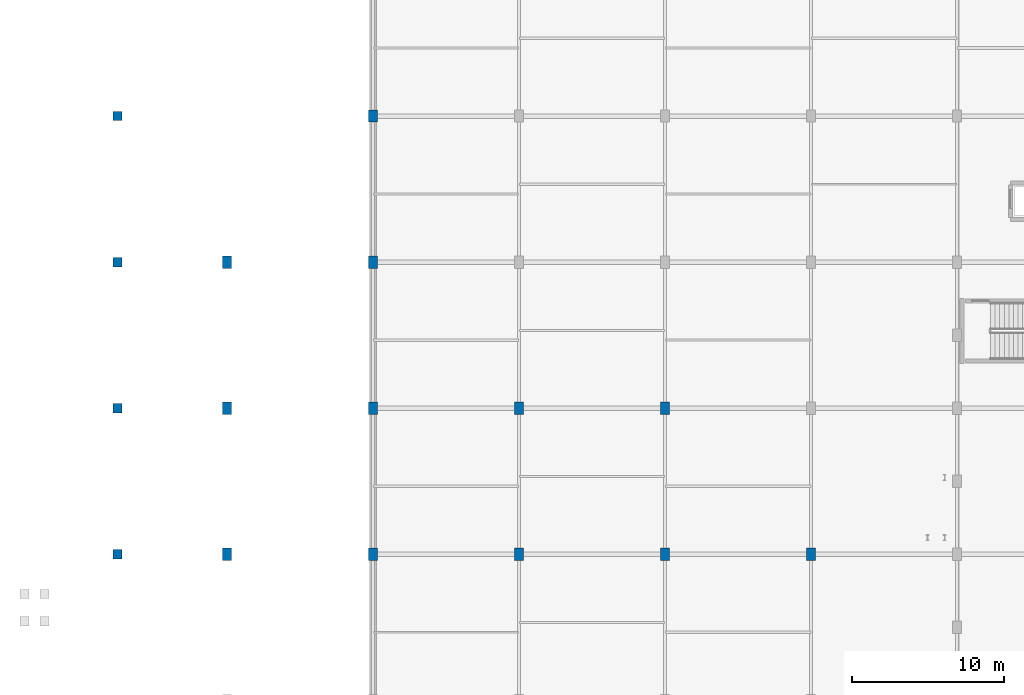
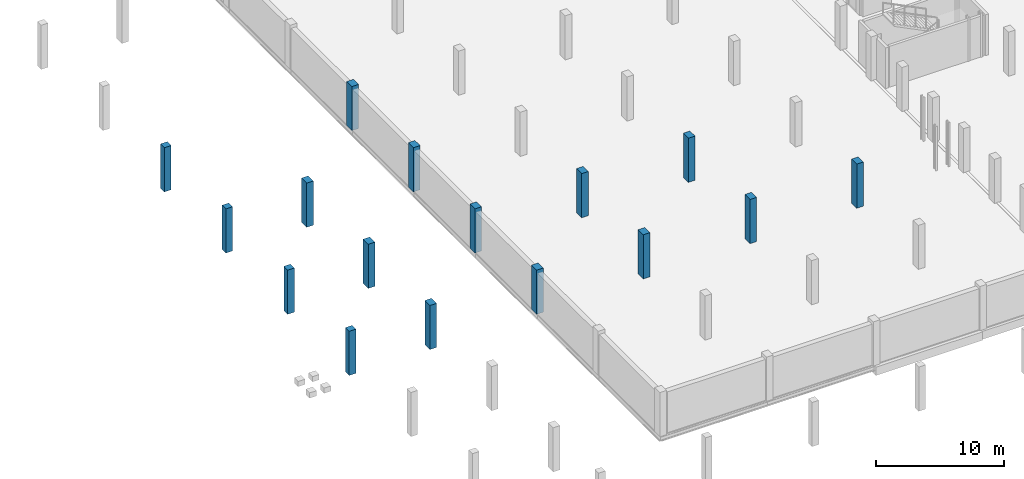
# One storey, part 3 of 47: 16 columns.
"""IFC4 building model written with IfcOpenShell, lengths in metres."""

from ifc_helpers import new_model, si_unit, direction, frame, origin, origin_2d, place, context, subcontext, project, spatial, rectangle, extrude, material, material_profile, profile_set, type_object, element, save


model = new_model("IFC4")

# Units and contexts
model_context = context("Model", 3, precision=1e-05, world=origin(), true_north=direction((0.0, 1.0)))
body_context = subcontext(model_context, "Body", "Model", "MODEL_VIEW")
ifc_project = project(units=[si_unit("LENGTHUNIT", "METRE"), si_unit("AREAUNIT", "SQUARE_METRE"), si_unit("VOLUMEUNIT", "CUBIC_METRE"), si_unit("PLANEANGLEUNIT", "RADIAN"), si_unit("MASSUNIT", "GRAM", prefix="KILO")], contexts=[model_context])

# Site, building, storey
site_placement = place(None, origin())
site = spatial("IfcSite", under=ifc_project, at=site_placement, CompositionType="ELEMENT")
building_placement = place(site_placement, origin())
building = spatial("IfcBuilding", under=site, at=building_placement, Name="Zevrakil Square Congress Hotel", CompositionType="ELEMENT")
storey_placement = place(building_placement, frame((0.0, 0.0, -4.199951171875)))
storey = spatial("IfcBuildingStorey", under=building, at=storey_placement, Name="B1", CompositionType="ELEMENT", Elevation=-4.199951171875)

# Columns
ifc_material_1 = material(Name="Concrete C40/50", Category="concrete")
ifc_material_profile_1 = material_profile(ifc_material_1, rectangle(XDim=0.60009765625, YDim=0.60009765625, at=origin_2d()), Name="RC 600x600")
ifc_profile_set_1 = profile_set([ifc_material_profile_1], Name="Concrete C40/50")
column_type_1 = type_object("IfcColumnType", Name="COL-RC600", PredefinedType="COLUMN", material=ifc_profile_set_1)
for number, where, z_axis, x_axis, name in (
    (1, (0.0, 26.39990234375, 0.0), (0.0, 0.0, 1.0), (1.0, 0.0, 0.0), "B1 column C-004"),
    (2, (0.0, 36.0, 0.0), (0.0, 0.0, 1.0), (1.0, 0.0, 0.0), "B1 column C-005"),
    (3, (0.0, 45.60009765625, 0.0), (0.0, 0.0, 1.0), (1.0, 0.0, 0.0), "B1 column C-006"),
    (4, (0.0, 55.199951171875, 0.0), (0.0, 0.0, 1.0), (1.0, 0.0, 0.0), "B1 column C-007"),
):
    element("IfcColumn", number, at=place(storey_placement, frame(where, z_axis=z_axis, x_axis=x_axis)), inside=storey, type_object=column_type_1, Name=name, PredefinedType="COLUMN", context=body_context, shape_type="SweptSolid", body=[
        extrude(rectangle(XDim=0.60009765625, YDim=0.60009765625, at=origin_2d()), origin(), (0.0, 0.0, 1.0), 4.199951171875),
    ])
ifc_material_2 = material(Name="Concrete C40/50", Category="concrete")
ifc_material_profile_2 = material_profile(ifc_material_2, rectangle(XDim=0.60009765625, YDim=0.800048828125, at=origin_2d()), Name="RC 600x800")
ifc_profile_set_2 = profile_set([ifc_material_profile_2], Name="Concrete C40/50")
column_type_2 = type_object("IfcColumnType", Name="COL-RC600x800", PredefinedType="COLUMN", material=ifc_profile_set_2)
for number, where, z_axis, x_axis, name in (
    (5, (7.199951171875, 26.39990234375, 0.0), (0.0, 0.0, 1.0), (1.0, 0.0, 0.0), "B1 column C-017"),
    (6, (7.199951171875, 36.0, 0.0), (0.0, 0.0, 1.0), (1.0, 0.0, 0.0), "B1 column C-018"),
    (7, (7.199951171875, 45.60009765625, 0.0), (0.0, 0.0, 1.0), (1.0, 0.0, 0.0), "B1 column C-019"),
    (8, (16.800048828125, 26.39990234375, 0.0), (0.0, 0.0, 1.0), (1.0, 0.0, 0.0), "B1 column C-029"),
    (9, (16.800048828125, 36.0, 0.0), (0.0, 0.0, 1.0), (1.0, 0.0, 0.0), "B1 column C-030"),
    (10, (16.800048828125, 45.60009765625, 0.0), (0.0, 0.0, 1.0), (1.0, 0.0, 0.0), "B1 column C-031"),
    (11, (16.800048828125, 55.199951171875, 0.0), (0.0, 0.0, 1.0), (1.0, 0.0, 0.0), "B1 column C-032"),
    (12, (26.39990234375, 26.39990234375, 0.0), (0.0, 0.0, 1.0), (1.0, 0.0, 0.0), "B1 column C-043"),
    (13, (26.39990234375, 36.0, 0.0), (0.0, 0.0, 1.0), (1.0, 0.0, 0.0), "B1 column C-044"),
    (14, (36.0, 26.39990234375, 0.0), (0.0, 0.0, 1.0), (1.0, 0.0, 0.0), "B1 column C-056"),
    (15, (36.0, 36.0, 0.0), (0.0, 0.0, 1.0), (1.0, 0.0, 0.0), "B1 column C-057"),
    (16, (45.60009765625, 26.39990234375, 0.0), (0.0, 0.0, 1.0), (1.0, 0.0, 0.0), "B1 column C-070"),
):
    element("IfcColumn", number, at=place(storey_placement, frame(where, z_axis=z_axis, x_axis=x_axis)), inside=storey, type_object=column_type_2, Name=name, PredefinedType="COLUMN", context=body_context, shape_type="SweptSolid", body=[
        extrude(rectangle(XDim=0.60009765625, YDim=0.800048828125, at=origin_2d()), origin(), (0.0, 0.0, 1.0), 4.199951171875),
    ])

save(model, "model.ifc")
